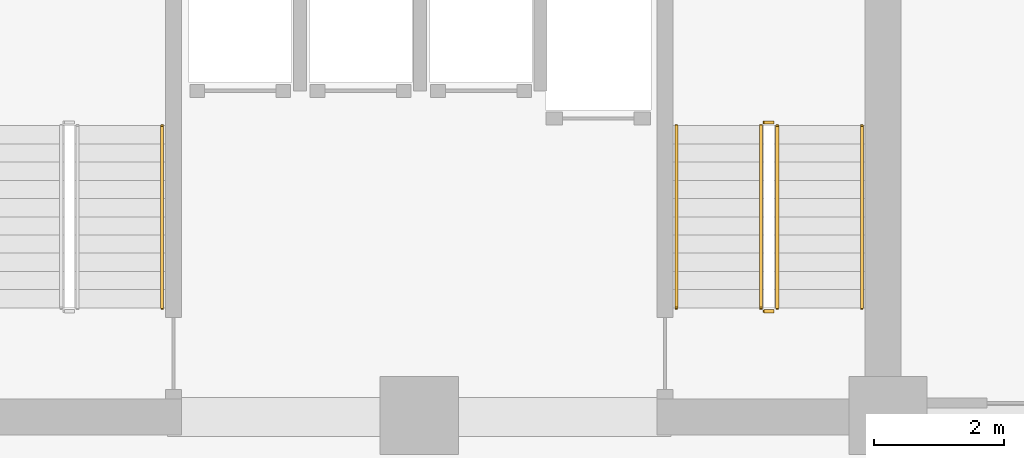
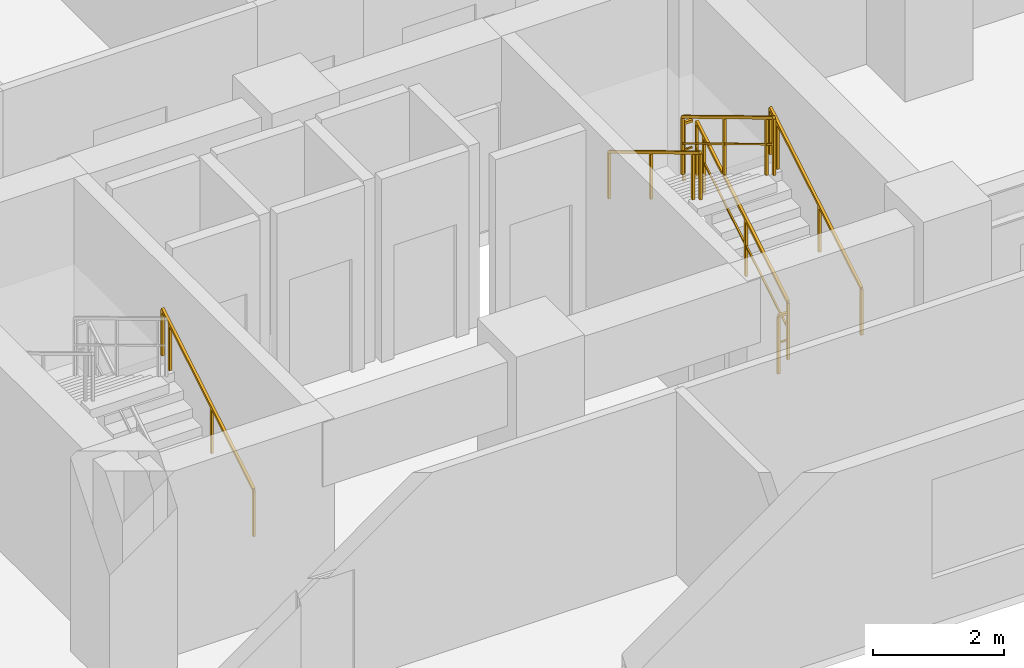
# One storey, part 17 of 18: 7 railings.
"""IFC4 building model written with IfcOpenShell, lengths in metres."""

from ifc_helpers import new_model, si_unit, direction, frame, origin, origin_2d, place, context, subcontext, project, spatial, rectangle, extrude, material, type_object, element, save


model = new_model("IFC4")

# Units and contexts
model_context = context("Model", 3, precision=1e-05, world=origin(), true_north=direction((0.0, 1.0)))
body_context = subcontext(model_context, "Body", "Model", "MODEL_VIEW")
ifc_project = project(units=[si_unit("LENGTHUNIT", "METRE"), si_unit("AREAUNIT", "SQUARE_METRE"), si_unit("VOLUMEUNIT", "CUBIC_METRE"), si_unit("PLANEANGLEUNIT", "RADIAN"), si_unit("MASSUNIT", "GRAM", prefix="KILO")], contexts=[model_context])

# Site, building, storey
site_placement = place(None, origin())
site = spatial("IfcSite", under=ifc_project, at=site_placement, CompositionType="ELEMENT")
building_placement = place(site_placement, origin())
building = spatial("IfcBuilding", under=site, at=building_placement, Name="Kaliganga Portal Commons", CompositionType="ELEMENT")
storey_placement = place(building_placement, frame((0.0, 0.0, 93.39990234375)))
storey = spatial("IfcBuildingStorey", under=building, at=storey_placement, Name="L23", CompositionType="ELEMENT", Elevation=93.39990234375)

# Railings
ifc_material_1 = material(Name="Galvanized Painted Steel Balustrade", Category="steel")
railing_type_1 = type_object("IfcRailingType", Name="RLG-STAIR-GRD", PredefinedType="GUARDRAIL", material=ifc_material_1)
railing_1_placement = place(storey_placement, frame((48.699951171875, 8.699951171875, 0.168212890625)))
element("IfcRailing", 1, at=railing_1_placement, inside=storey, type_object=railing_type_1, Name="L23 ST-B2 stair guard 1", PredefinedType="GUARDRAIL", context=body_context, shape_type="SweptSolid", body=[
    extrude(rectangle(XDim=0.048095703125, YDim=0.048095703125, at=origin_2d()), frame((0.0, 0.0, 1.072021484375), z_axis=(0.0, 0.857242210791, 0.514913383045), x_axis=(-1.0, 0.0, 0.0)), (0.0, 0.0, 1.0), 3.266357421875),
    extrude(rectangle(XDim=0.028076171875, YDim=0.028076171875, at=origin_2d()), frame((0.0, 0.0, 0.572021484375), z_axis=(0.0, 0.857242210791, 0.514913383045), x_axis=(-1.0, 0.0, 0.0)), (0.0, 0.0, 1.0), 3.266357421875),
    extrude(rectangle(XDim=0.0419921875, YDim=0.0419921875, at=origin_2d()), origin(), (0.0, 0.0, 1.0), 1.052001953125),
    extrude(rectangle(XDim=0.0419921875, YDim=0.0419921875, at=origin_2d()), frame((0.0, 1.285888671875, 0.7724609375)), (0.0, 0.0, 1.0), 1.052001953125),
    extrude(rectangle(XDim=0.0419921875, YDim=0.0419921875, at=origin_2d()), frame((0.0, 2.57177734375, 1.544677734375)), (0.0, 0.0, 1.0), 1.052001953125),
    extrude(rectangle(XDim=0.0419921875, YDim=0.0419921875, at=origin_2d()), frame((0.0, 2.800048828125, 1.681884765625)), (0.0, 0.0, 1.0), 1.052001953125),
])
railing_2_placement = place(storey_placement, frame((48.64990234375, 11.550048828125, 1.85009765625)))
element("IfcRailing", 2, at=railing_2_placement, inside=storey, type_object=railing_type_1, Name="L23 ST-B2 stair guard 2", PredefinedType="GUARDRAIL", context=body_context, shape_type="SweptSolid", body=[
    extrude(rectangle(XDim=0.048095703125, YDim=0.048095703125, at=origin_2d()), frame((0.0, 0.0, 1.076171875), z_axis=(-1.0, 0.0, 0.0), x_axis=(0.0, -1.0, 0.0)), (0.0, 0.0, 1.0), 0.14990234375),
    extrude(rectangle(XDim=0.028076171875, YDim=0.028076171875, at=origin_2d()), frame((0.0, 0.0, 0.572021484375), z_axis=(-1.0, 0.0, 0.0), x_axis=(0.0, -1.0, 0.0)), (0.0, 0.0, 1.0), 0.14990234375),
    extrude(rectangle(XDim=0.0419921875, YDim=0.0419921875, at=origin_2d()), frame((-0.14990234375, 0.0, 0.0)), (0.0, 0.0, 1.0), 1.052001953125),
])
railing_3_placement = place(storey_placement, frame((48.449951171875, 11.5, 2.018310546875)))
element("IfcRailing", 3, at=railing_3_placement, inside=storey, type_object=railing_type_1, Name="L23 ST-B2 stair guard 3", PredefinedType="GUARDRAIL", context=body_context, shape_type="SweptSolid", body=[
    extrude(rectangle(XDim=0.048095703125, YDim=0.048095703125, at=origin_2d()), frame((0.0, 0.0, 1.072021484375), z_axis=(0.0, -0.857242210791, 0.514913383045), x_axis=(1.0, 0.0, 0.0)), (0.0, 0.0, 1.0), 3.266357421875),
    extrude(rectangle(XDim=0.028076171875, YDim=0.028076171875, at=origin_2d()), frame((0.0, 0.0, 0.572021484375), z_axis=(0.0, -0.857242210791, 0.514913383045), x_axis=(1.0, 0.0, 0.0)), (0.0, 0.0, 1.0), 3.266357421875),
    extrude(rectangle(XDim=0.0419921875, YDim=0.0419921875, at=origin_2d()), origin(), (0.0, 0.0, 1.0), 1.052001953125),
    extrude(rectangle(XDim=0.0419921875, YDim=0.0419921875, at=origin_2d()), frame((0.0, -1.285888671875, 0.7724609375)), (0.0, 0.0, 1.0), 1.052001953125),
    extrude(rectangle(XDim=0.0419921875, YDim=0.0419921875, at=origin_2d()), frame((0.0, -2.57177734375, 1.544677734375)), (0.0, 0.0, 1.0), 1.052001953125),
    extrude(rectangle(XDim=0.0419921875, YDim=0.0419921875, at=origin_2d()), frame((0.0, -2.800048828125, 1.681884765625)), (0.0, 0.0, 1.0), 1.052001953125),
])
railing_4_placement = place(storey_placement, frame((48.64990234375, 8.64990234375, 0.0)))
element("IfcRailing", 4, at=railing_4_placement, inside=storey, type_object=railing_type_1, Name="L23 ST-B2 stair guard 4", PredefinedType="GUARDRAIL", context=body_context, shape_type="SweptSolid", body=[
    extrude(rectangle(XDim=0.048095703125, YDim=0.048095703125, at=origin_2d()), frame((0.0, 0.0, 1.076171875), z_axis=(-1.0, 0.0, 0.0), x_axis=(0.0, -1.0, 0.0)), (0.0, 0.0, 1.0), 0.14990234375),
    extrude(rectangle(XDim=0.028076171875, YDim=0.028076171875, at=origin_2d()), frame((0.0, 0.0, 0.572021484375), z_axis=(-1.0, 0.0, 0.0), x_axis=(0.0, -1.0, 0.0)), (0.0, 0.0, 1.0), 0.14990234375),
    extrude(rectangle(XDim=0.0419921875, YDim=0.0419921875, at=origin_2d()), frame((-0.14990234375, 0.0, 0.0)), (0.0, 0.0, 1.0), 1.052001953125),
])
ifc_material_2 = material(Name="Brushed Stainless Steel 316", Category="steel")
railing_type_2 = type_object("IfcRailingType", Name="RLG-STAIR-HR", PredefinedType="HANDRAIL", material=ifc_material_2)
for number, where, name in (
    (5, (39.25, 8.699951171875, 0.168212890625), "L23 ST-B1 stair handrail 1"),
    (6, (50.0, 8.699951171875, 0.168212890625), "L23 ST-B2 stair handrail 1"),
):
    element("IfcRailing", number, at=place(storey_placement, frame(where)), inside=storey, type_object=railing_type_2, Name=name, PredefinedType="HANDRAIL", context=body_context, shape_type="SweptSolid", body=[
        extrude(rectangle(XDim=0.048095703125, YDim=0.048095703125, at=origin_2d()), frame((0.0, 0.0, 0.871826171875), z_axis=(0.0, 0.857242210791, 0.514913383045), x_axis=(-1.0, 0.0, 0.0)), (0.0, 0.0, 1.0), 3.266357421875),
        extrude(rectangle(XDim=0.0419921875, YDim=0.0419921875, at=origin_2d()), origin(), (0.0, 0.0, 1.0), 0.851806640625),
        extrude(rectangle(XDim=0.0419921875, YDim=0.0419921875, at=origin_2d()), frame((0.0, 1.285888671875, 0.7724609375)), (0.0, 0.0, 1.0), 0.851806640625),
        extrude(rectangle(XDim=0.0419921875, YDim=0.0419921875, at=origin_2d()), frame((0.0, 2.57177734375, 1.544677734375)), (0.0, 0.0, 1.0), 0.851806640625),
        extrude(rectangle(XDim=0.0419921875, YDim=0.0419921875, at=origin_2d()), frame((0.0, 2.800048828125, 1.681884765625)), (0.0, 0.0, 1.0), 0.851806640625),
    ])
railing_5_placement = place(storey_placement, frame((47.14990234375, 11.5, 2.018310546875)))
element("IfcRailing", 7, at=railing_5_placement, inside=storey, type_object=railing_type_2, Name="L23 ST-B2 stair handrail 2", PredefinedType="HANDRAIL", context=body_context, shape_type="SweptSolid", body=[
    extrude(rectangle(XDim=0.048095703125, YDim=0.048095703125, at=origin_2d()), frame((0.0, 0.0, 0.871826171875), z_axis=(0.0, -0.857242210791, 0.514913383045), x_axis=(1.0, 0.0, 0.0)), (0.0, 0.0, 1.0), 3.266357421875),
    extrude(rectangle(XDim=0.0419921875, YDim=0.0419921875, at=origin_2d()), origin(), (0.0, 0.0, 1.0), 0.851806640625),
    extrude(rectangle(XDim=0.0419921875, YDim=0.0419921875, at=origin_2d()), frame((0.0, -1.285888671875, 0.7724609375)), (0.0, 0.0, 1.0), 0.851806640625),
    extrude(rectangle(XDim=0.0419921875, YDim=0.0419921875, at=origin_2d()), frame((0.0, -2.57177734375, 1.544677734375)), (0.0, 0.0, 1.0), 0.851806640625),
    extrude(rectangle(XDim=0.0419921875, YDim=0.0419921875, at=origin_2d()), frame((0.0, -2.800048828125, 1.681884765625)), (0.0, 0.0, 1.0), 0.851806640625),
])

save(model, "model.ifc")
